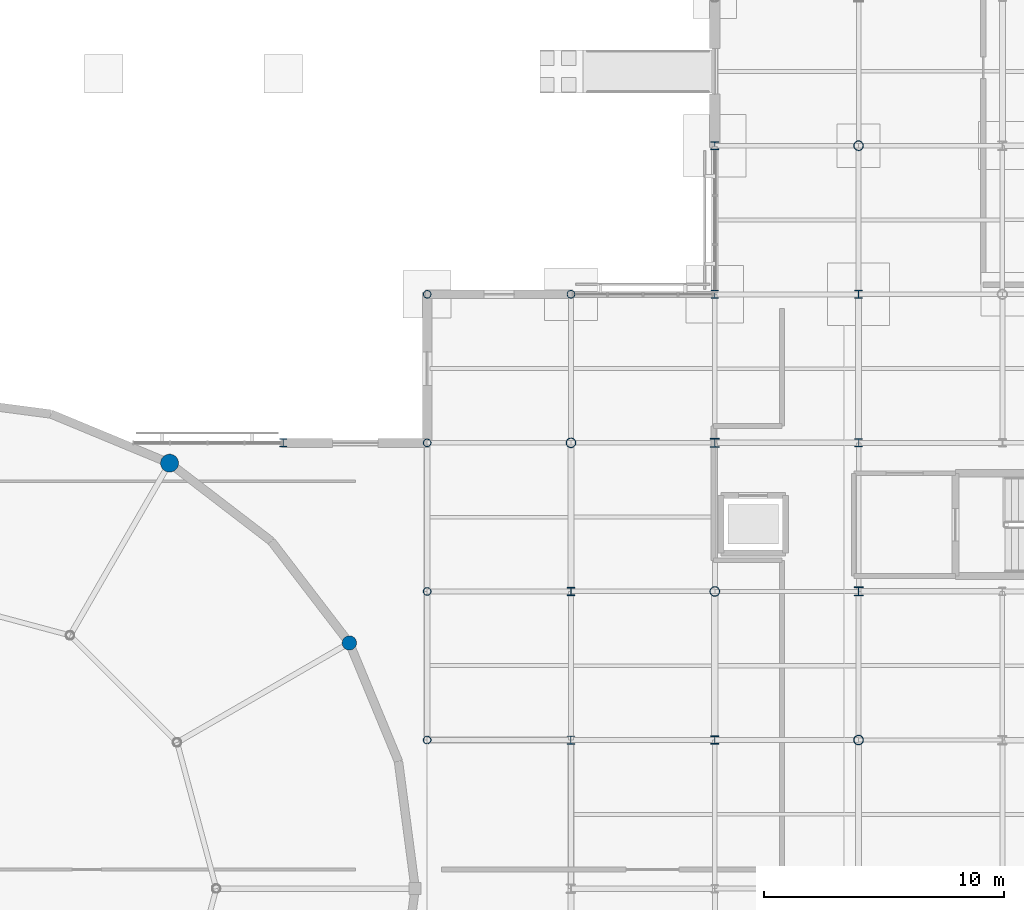
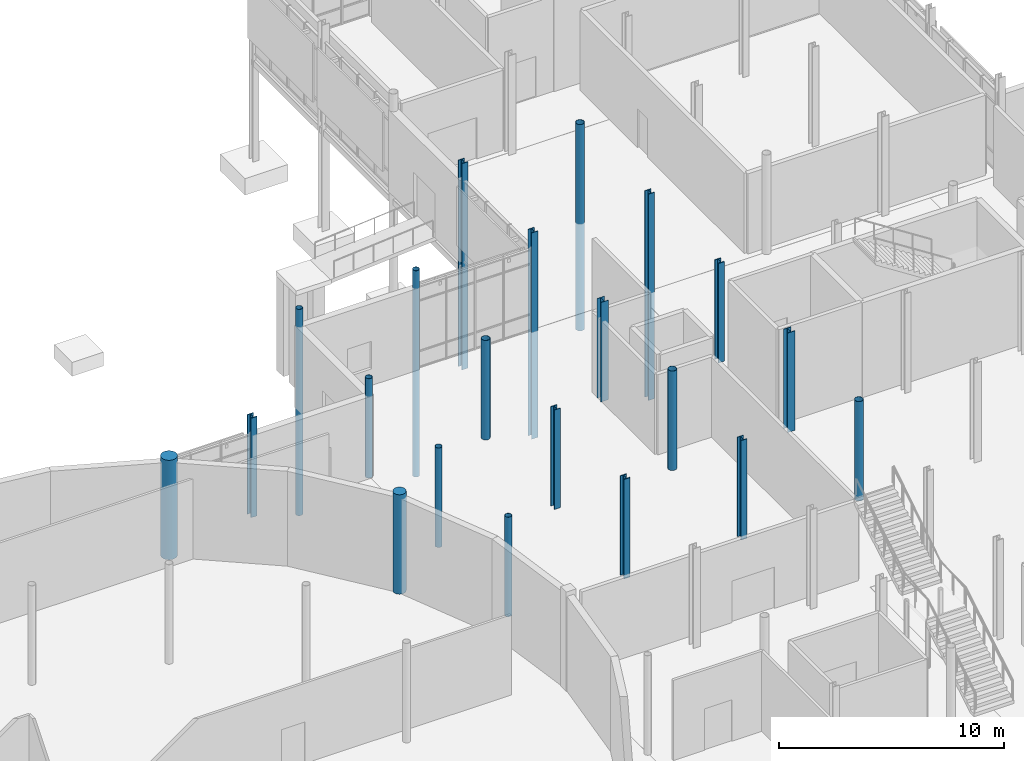
# One storey, part 18 of 98: 21 columns.
"""IFC4 building model written with IfcOpenShell, lengths in metres."""

from ifc_helpers import new_model, si_unit, direction, frame, origin, origin_2d, place, context, subcontext, project, spatial, circle, hollow_circle, i_section, extrude, material, material_profile, profile_set, type_object, element, save


model = new_model("IFC4")

# Units and contexts
model_context = context("Model", 3, precision=1e-05, world=origin(), true_north=direction((0.0, 1.0)))
body_context = subcontext(model_context, "Body", "Model", "MODEL_VIEW")
ifc_project = project(units=[si_unit("LENGTHUNIT", "METRE"), si_unit("AREAUNIT", "SQUARE_METRE"), si_unit("VOLUMEUNIT", "CUBIC_METRE"), si_unit("PLANEANGLEUNIT", "RADIAN"), si_unit("MASSUNIT", "GRAM", prefix="KILO")], contexts=[model_context])

# Site, building, storey
site_placement = place(None, origin())
site = spatial("IfcSite", under=ifc_project, at=site_placement, CompositionType="ELEMENT")
building_placement = place(site_placement, origin())
building = spatial("IfcBuilding", under=site, at=building_placement, Name="Mirzam Square Science Centre", CompositionType="ELEMENT")
storey_placement = place(building_placement, origin())
storey = spatial("IfcBuildingStorey", under=building, at=storey_placement, Name="L00", CompositionType="ELEMENT", Elevation=0.0)

# Columns
ifc_material_1 = material(Name="Steel S355", Category="steel")
ifc_material_profile_1 = material_profile(ifc_material_1, hollow_circle(Radius=0.161865234375, WallThickness=0.012451171875, at=origin_2d()), Name="323.9x12.5CHS")
ifc_profile_set_1 = profile_set([ifc_material_profile_1], Name="Steel S355")
column_type_1 = type_object("IfcColumnType", Name="COL-CHS324", PredefinedType="COLUMN", material=ifc_profile_set_1)
for number, where, z_axis, x_axis, name in (
    (1, (102.0, 68.199951171875, 0.0), (0.0, 0.0, 1.0), (1.0, 0.0, 0.0), "L00 column G18-12"),
    (2, (102.0, 74.39990234375, 0.0), (0.0, 0.0, 1.0), (1.0, 0.0, 0.0), "L00 column G18-13"),
    (3, (102.0, 80.60009765625, 0.0), (0.0, 0.0, 1.0), (1.0, 0.0, 0.0), "L00 column G18-14"),
):
    element("IfcColumn", number, at=place(storey_placement, frame(where, z_axis=z_axis, x_axis=x_axis)), inside=storey, type_object=column_type_1, Name=name, PredefinedType="COLUMN", context=body_context, shape_type="SweptSolid", body=[
        extrude(hollow_circle(Radius=0.161865234375, WallThickness=0.012451171875, at=origin_2d()), origin(), (0.0, 0.0, 1.0), 5.39990234375),
    ])
for number, where, z_axis, x_axis, name in (
    (4, (102.0, 86.800048828125, -5.800048828125), (0.0, 0.0, 1.0), (1.0, 0.0, 0.0), "L00 column G18-15"),
    (5, (108.0, 86.800048828125, -5.800048828125), (0.0, 0.0, 1.0), (1.0, 0.0, 0.0), "L00 column G19-15"),
):
    element("IfcColumn", number, at=place(storey_placement, frame(where, z_axis=z_axis, x_axis=x_axis)), inside=storey, type_object=column_type_1, Name=name, PredefinedType="COLUMN", context=body_context, shape_type="SweptSolid", body=[
        extrude(hollow_circle(Radius=0.161865234375, WallThickness=0.012451171875, at=origin_2d()), origin(), (0.0, 0.0, 1.0), 11.199951171875),
    ])
ifc_material_profile_2 = material_profile(ifc_material_1, hollow_circle(Radius=0.203125, WallThickness=0.01611328125, at=origin_2d()), Name="406.4x16.0CHS")
ifc_profile_set_2 = profile_set([ifc_material_profile_2], Name="Steel S355")
column_type_2 = type_object("IfcColumnType", Name="COL-CHS406", PredefinedType="COLUMN", material=ifc_profile_set_2)
for number, where, z_axis, x_axis, name in (
    (6, (108.0, 80.60009765625, 0.0), (0.0, 0.0, 1.0), (1.0, 0.0, 0.0), "L00 column G19-14"),
    (7, (114.0, 74.39990234375, 0.0), (0.0, 0.0, 1.0), (1.0, 0.0, 0.0), "L00 column G20-13"),
    (8, (120.0, 68.199951171875, 0.0), (0.0, 0.0, 1.0), (1.0, 0.0, 0.0), "L00 column G21-12"),
):
    element("IfcColumn", number, at=place(storey_placement, frame(where, z_axis=z_axis, x_axis=x_axis)), inside=storey, type_object=column_type_2, Name=name, PredefinedType="COLUMN", context=body_context, shape_type="SweptSolid", body=[
        extrude(hollow_circle(Radius=0.203125, WallThickness=0.01611328125, at=origin_2d()), origin(), (0.0, 0.0, 1.0), 5.39990234375),
    ])
column_1_placement = place(storey_placement, frame((120.0, 93.0, -5.800048828125), z_axis=(0.0, 0.0, 1.0), x_axis=(1.0, 0.0, 0.0)))
element("IfcColumn", 9, at=column_1_placement, inside=storey, type_object=column_type_2, Name="L00 column G21-16", PredefinedType="COLUMN", context=body_context, shape_type="SweptSolid", body=[
    extrude(hollow_circle(Radius=0.203125, WallThickness=0.01611328125, at=origin_2d()), origin(), (0.0, 0.0, 1.0), 11.199951171875),
])
ifc_material_profile_3 = material_profile(ifc_material_1, i_section(OverallWidth=0.314453125, OverallDepth=0.33984375, WebThickness=0.01904296875, FlangeThickness=0.031494140625, FilletRadius=0.01513671875, at=origin_2d()), Name="305x305x198UC")
ifc_profile_set_3 = profile_set([ifc_material_profile_3], Name="Steel S355")
column_type_3 = type_object("IfcColumnType", Name="COL-UC305B", PredefinedType="COLUMN", material=ifc_profile_set_3)
for number, where, z_axis, x_axis, name in (
    (10, (108.0, 74.39990234375, 0.0), (0.0, 0.0, 1.0), (1.0, 0.0, 0.0), "L00 column G19-13"),
    (11, (114.0, 68.199951171875, 0.0), (0.0, 0.0, 1.0), (1.0, 0.0, 0.0), "L00 column G20-12"),
):
    element("IfcColumn", number, at=place(storey_placement, frame(where, z_axis=z_axis, x_axis=x_axis)), inside=storey, type_object=column_type_3, Name=name, PredefinedType="COLUMN", context=body_context, shape_type="SweptSolid", body=[
        extrude(i_section(OverallWidth=0.314453125, OverallDepth=0.33984375, WebThickness=0.01904296875, FlangeThickness=0.031494140625, FilletRadius=0.01513671875, at=origin_2d()), origin(), (0.0, 0.0, 1.0), 5.39990234375),
    ])
for number, where, z_axis, x_axis, name in (
    (12, (114.0, 93.0, -5.800048828125), (0.0, 0.0, 1.0), (1.0, 0.0, 0.0), "L00 column G20-16"),
    (13, (120.0, 86.800048828125, -5.800048828125), (0.0, 0.0, 1.0), (1.0, 0.0, 0.0), "L00 column G21-15"),
):
    element("IfcColumn", number, at=place(storey_placement, frame(where, z_axis=z_axis, x_axis=x_axis)), inside=storey, type_object=column_type_3, Name=name, PredefinedType="COLUMN", context=body_context, shape_type="SweptSolid", body=[
        extrude(i_section(OverallWidth=0.314453125, OverallDepth=0.33984375, WebThickness=0.01904296875, FlangeThickness=0.031494140625, FilletRadius=0.01513671875, at=origin_2d()), origin(), (0.0, 0.0, 1.0), 11.199951171875),
    ])
ifc_material_profile_4 = material_profile(ifc_material_1, i_section(OverallWidth=0.318359375, OverallDepth=0.3525390625, WebThickness=0.02294921875, FlangeThickness=0.03759765625, FilletRadius=0.01513671875, at=origin_2d()), Name="305x305x240UC")
ifc_profile_set_4 = profile_set([ifc_material_profile_4], Name="Steel S355")
column_type_4 = type_object("IfcColumnType", Name="COL-UC305C", PredefinedType="COLUMN", material=ifc_profile_set_4)
for number, where, z_axis, x_axis, name in (
    (14, (96.0, 80.60009765625, 0.0), (0.0, 0.0, 1.0), (1.0, 0.0, 0.0), "L00 column G17-14"),
    (15, (108.0, 68.199951171875, 0.0), (0.0, 0.0, 1.0), (1.0, 0.0, 0.0), "L00 column G19-12"),
):
    element("IfcColumn", number, at=place(storey_placement, frame(where, z_axis=z_axis, x_axis=x_axis)), inside=storey, type_object=column_type_4, Name=name, PredefinedType="COLUMN", context=body_context, shape_type="SweptSolid", body=[
        extrude(i_section(OverallWidth=0.318359375, OverallDepth=0.3525390625, WebThickness=0.02294921875, FlangeThickness=0.03759765625, FilletRadius=0.01513671875, at=origin_2d()), origin(), (0.0, 0.0, 1.0), 5.39990234375),
    ])
column_2_placement = place(storey_placement, frame((114.0, 86.800048828125, -5.800048828125), z_axis=(0.0, 0.0, 1.0), x_axis=(1.0, 0.0, 0.0)))
element("IfcColumn", 16, at=column_2_placement, inside=storey, type_object=column_type_4, Name="L00 column G20-15", PredefinedType="COLUMN", context=body_context, shape_type="SweptSolid", body=[
    extrude(i_section(OverallWidth=0.318359375, OverallDepth=0.3525390625, WebThickness=0.02294921875, FlangeThickness=0.03759765625, FilletRadius=0.01513671875, at=origin_2d()), origin(), (0.0, 0.0, 1.0), 11.199951171875),
])
column_3_placement = place(storey_placement, frame((120.0, 80.60009765625, 0.0), z_axis=(0.0, 0.0, 1.0), x_axis=(1.0, 0.0, 0.0)))
element("IfcColumn", 17, at=column_3_placement, inside=storey, type_object=column_type_4, Name="L00 column G21-14", PredefinedType="COLUMN", context=body_context, shape_type="SweptSolid", body=[
    extrude(i_section(OverallWidth=0.318359375, OverallDepth=0.3525390625, WebThickness=0.02294921875, FlangeThickness=0.03759765625, FilletRadius=0.01513671875, at=origin_2d()), origin(), (0.0, 0.0, 1.0), 5.39990234375),
])
ifc_material_profile_5 = material_profile(ifc_material_1, i_section(OverallWidth=0.374755859375, OverallDepth=0.37451171875, WebThickness=0.0166015625, FlangeThickness=0.027099609375, FilletRadius=0.01513671875, at=origin_2d()), Name="356x368x202UC")
ifc_profile_set_5 = profile_set([ifc_material_profile_5], Name="Steel S355")
column_type_5 = type_object("IfcColumnType", Name="COL-UC356A", PredefinedType="COLUMN", material=ifc_profile_set_5)
for number, where, z_axis, x_axis, name in (
    (18, (114.0, 80.60009765625, 0.0), (0.0, 0.0, 1.0), (1.0, 0.0, 0.0), "L00 column G20-14"),
    (19, (120.0, 74.39990234375, 0.0), (0.0, 0.0, 1.0), (1.0, 0.0, 0.0), "L00 column G21-13"),
):
    element("IfcColumn", number, at=place(storey_placement, frame(where, z_axis=z_axis, x_axis=x_axis)), inside=storey, type_object=column_type_5, Name=name, PredefinedType="COLUMN", context=body_context, shape_type="SweptSolid", body=[
        extrude(i_section(OverallWidth=0.374755859375, OverallDepth=0.37451171875, WebThickness=0.0166015625, FlangeThickness=0.027099609375, FilletRadius=0.01513671875, at=origin_2d()), origin(), (0.0, 0.0, 1.0), 5.39990234375),
    ])
ifc_material_2 = material(Name="Concrete C45/55", Category="concrete")
ifc_material_profile_6 = material_profile(ifc_material_2, circle(Radius=0.300048828125, at=origin_2d()), Name="RCD600")
ifc_profile_set_6 = profile_set([ifc_material_profile_6], Name="Concrete C45/55")
column_type_6 = type_object("IfcColumnType", Name="PIL-RCD600", PredefinedType="PILASTER", material=ifc_profile_set_6)
column_4_placement = place(storey_placement, frame((98.75341796875, 72.25, 0.0), z_axis=(0.0, 0.0, 1.0), x_axis=(1.0, 0.0, 0.0)))
element("IfcColumn", 20, at=column_4_placement, inside=storey, type_object=column_type_6, Name="L00 drum pilaster 03", PredefinedType="PILASTER", context=body_context, shape_type="SweptSolid", body=[
    extrude(circle(Radius=0.300048828125, at=origin_2d()), origin(), (0.0, 0.0, 1.0), 5.39990234375),
])
ifc_material_profile_7 = material_profile(ifc_material_2, circle(Radius=0.375, at=origin_2d()), Name="RCD750")
ifc_profile_set_7 = profile_set([ifc_material_profile_7], Name="Concrete C45/55")
column_type_7 = type_object("IfcColumnType", Name="PIL-RCD750", PredefinedType="PILASTER", material=ifc_profile_set_7)
column_5_placement = place(storey_placement, frame((91.25, 79.75341796875, 0.0), z_axis=(0.0, 0.0, 1.0), x_axis=(1.0, 0.0, 0.0)))
element("IfcColumn", 21, at=column_5_placement, inside=storey, type_object=column_type_7, Name="L00 drum pilaster 05", PredefinedType="PILASTER", context=body_context, shape_type="SweptSolid", body=[
    extrude(circle(Radius=0.375, at=origin_2d()), origin(), (0.0, 0.0, 1.0), 5.39990234375),
])

save(model, "model.ifc")
